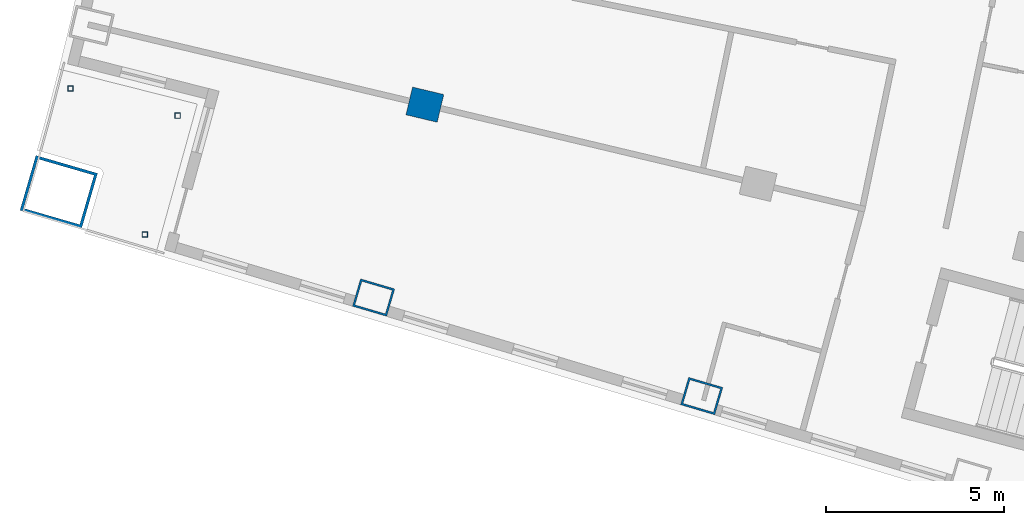
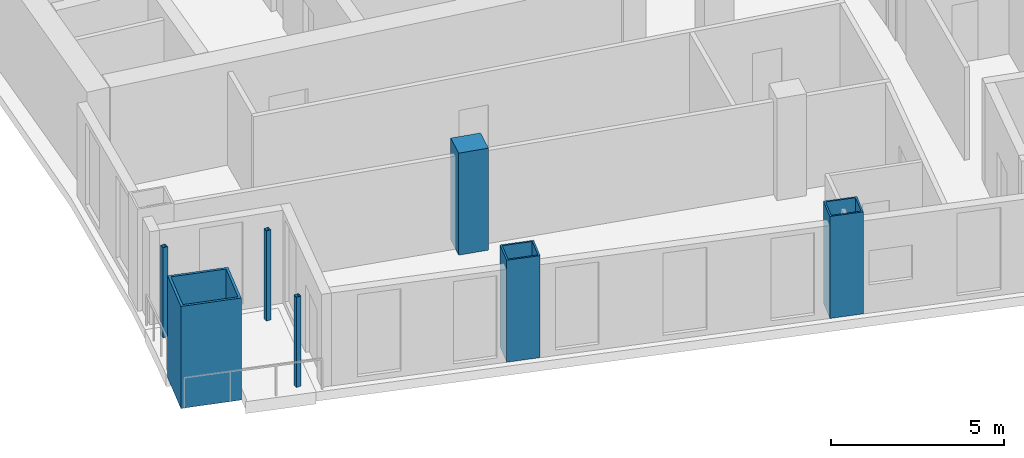
# One storey, part 1 of 20: 7 columns.
"""IFC4 building model written with IfcOpenShell, lengths in metres."""

from ifc_helpers import new_model, si_unit, direction, frame, origin, origin_2d, place, context, subcontext, project, spatial, rectangle, hollow_rectangle, extrude, material, material_profile, profile_set, type_object, element, save


model = new_model("IFC4")

# Units and contexts
model_context = context("Model", 3, precision=1e-05, world=origin(), true_north=direction((0.0, 1.0)))
body_context = subcontext(model_context, "Body", "Model", "MODEL_VIEW")
ifc_project = project(units=[si_unit("LENGTHUNIT", "METRE"), si_unit("AREAUNIT", "SQUARE_METRE"), si_unit("VOLUMEUNIT", "CUBIC_METRE"), si_unit("PLANEANGLEUNIT", "RADIAN"), si_unit("MASSUNIT", "GRAM", prefix="KILO")], contexts=[model_context])

# Site, building, storey
site_placement = place(None, origin())
site = spatial("IfcSite", under=ifc_project, at=site_placement, CompositionType="ELEMENT")
building_placement = place(site_placement, origin())
building = spatial("IfcBuilding", under=site, at=building_placement, Name="Alderwake Tower", CompositionType="ELEMENT")
storey_placement = place(building_placement, frame((0.0, 0.0, 164.0)))
storey = spatial("IfcBuildingStorey", under=building, at=storey_placement, Name="L40", CompositionType="ELEMENT", Elevation=164.0)

# Columns
ifc_material_1 = material(Name="Steel ASTM A572 Grade 50 concrete filled C70/85", Category="concrete")
ifc_material_profile_1 = material_profile(ifc_material_1, hollow_rectangle(XDim=0.800048828125, YDim=1.0, WallThickness=0.054931640625, at=origin_2d()), Name="BOX 1000X800X55")
ifc_profile_set_1 = profile_set([ifc_material_profile_1], Name="Steel ASTM A572 Grade 50 concrete filled C70/85")
column_type_1 = type_object("IfcColumnType", Name="End column Z3", PredefinedType="COLUMN", material=ifc_profile_set_1)
for number, where, z_axis, x_axis, name in (
    (1, (21.885498046875, 31.03759765625, 0.0), (0.0, 0.0, 1.0), (0.282132160283, 0.95937554906, 0.0), "Column R02-C1"),
    (2, (31.080322265625, 28.27685546875, 0.0), (0.0, 0.0, 1.0), (0.282582549822, 0.959242984095, 0.0), "Column R02-C2"),
):
    element("IfcColumn", number, at=place(storey_placement, frame(where, z_axis=z_axis, x_axis=x_axis)), inside=storey, type_object=column_type_1, Name=name, PredefinedType="COLUMN", context=body_context, shape_type="SweptSolid", body=[
        extrude(hollow_rectangle(XDim=0.800048828125, YDim=1.0, WallThickness=0.054931640625, at=origin_2d()), origin(), (0.0, 0.0, 1.0), 3.60009765625),
    ])
ifc_material_2 = material(Name="Concrete C70/85", Category="concrete")
ifc_material_profile_2 = material_profile(ifc_material_2, rectangle(XDim=0.800048828125, YDim=0.89990234375, at=origin_2d()), Name="RC 900X800")
ifc_profile_set_2 = profile_set([ifc_material_profile_2], Name="Concrete C70/85")
column_type_2 = type_object("IfcColumnType", Name="Interior column Z3", PredefinedType="COLUMN", material=ifc_profile_set_2)
column_1_placement = place(storey_placement, frame((23.322021484375, 36.444091796875, 0.0), z_axis=(0.0, 0.0, 1.0), x_axis=(0.231221547198, 0.972901123502, 0.0)))
element("IfcColumn", 3, at=column_1_placement, inside=storey, type_object=column_type_2, Name="Column R03-C1", PredefinedType="COLUMN", context=body_context, shape_type="SweptSolid", body=[
    extrude(rectangle(XDim=0.800048828125, YDim=0.89990234375, at=origin_2d()), origin(), (0.0, 0.0, 1.0), 3.60009765625),
])
ifc_material_3 = material(Name="Steel ASTM A500 Grade C", Category="steel")
ifc_material_profile_3 = material_profile(ifc_material_3, hollow_rectangle(XDim=0.15234375, YDim=0.15234375, WallThickness=0.0087890625, at=origin_2d()), Name="HSS6X6X3/8")
ifc_profile_set_3 = profile_set([ifc_material_profile_3], Name="Steel ASTM A500 Grade C")
column_type_3 = type_object("IfcColumnType", Name="Light post HSS6X6X3/8", PredefinedType="COLUMN", material=ifc_profile_set_3)
for number, where, z_axis, x_axis, name in (
    (4, (13.3896484375, 36.896484375, 0.0), (0.0, 0.0, 1.0), (1.0, 0.0, 0.0), "Terrace post RS1"),
    (5, (15.47412109375, 32.805908203125, 0.0), (0.0, 0.0, 1.0), (1.0, 0.0, 0.0), "Terrace post RS2"),
    (6, (16.39501953125, 36.135986328125, 0.0), (0.0, 0.0, 1.0), (1.0, 0.0, 0.0), "Terrace post RS3"),
):
    element("IfcColumn", number, at=place(storey_placement, frame(where, z_axis=z_axis, x_axis=x_axis)), inside=storey, type_object=column_type_3, Name=name, PredefinedType="COLUMN", context=body_context, shape_type="SweptSolid", body=[
        extrude(hollow_rectangle(XDim=0.15234375, YDim=0.15234375, WallThickness=0.0087890625, at=origin_2d()), origin(), (0.0, 0.0, 1.0), 3.179931640625),
    ])
ifc_material_4 = material(Name="Steel ASTM A572 Grade 50 concrete filled C70/85", Category="concrete")
ifc_material_profile_4 = material_profile(ifc_material_4, hollow_rectangle(XDim=1.60009765625, YDim=1.800048828125, WallThickness=0.080078125, at=origin_2d()), Name="BOX 1800X1600X80")
ifc_profile_set_4 = profile_set([ifc_material_profile_4], Name="Steel ASTM A572 Grade 50 concrete filled C70/85")
column_type_4 = type_object("IfcColumnType", Name="Mega column Z3", PredefinedType="COLUMN", material=ifc_profile_set_4)
column_2_placement = place(storey_placement, frame((13.06298828125, 34.00244140625, 0.0), z_axis=(0.0, 0.0, 1.0), x_axis=(0.278612301868, 0.960403657452, 0.0)))
element("IfcColumn", 7, at=column_2_placement, inside=storey, type_object=column_type_4, Name="Column R02-C0", PredefinedType="COLUMN", context=body_context, shape_type="SweptSolid", body=[
    extrude(hollow_rectangle(XDim=1.60009765625, YDim=1.800048828125, WallThickness=0.080078125, at=origin_2d()), origin(), (0.0, 0.0, 1.0), 3.60009765625),
])

save(model, "model.ifc")
